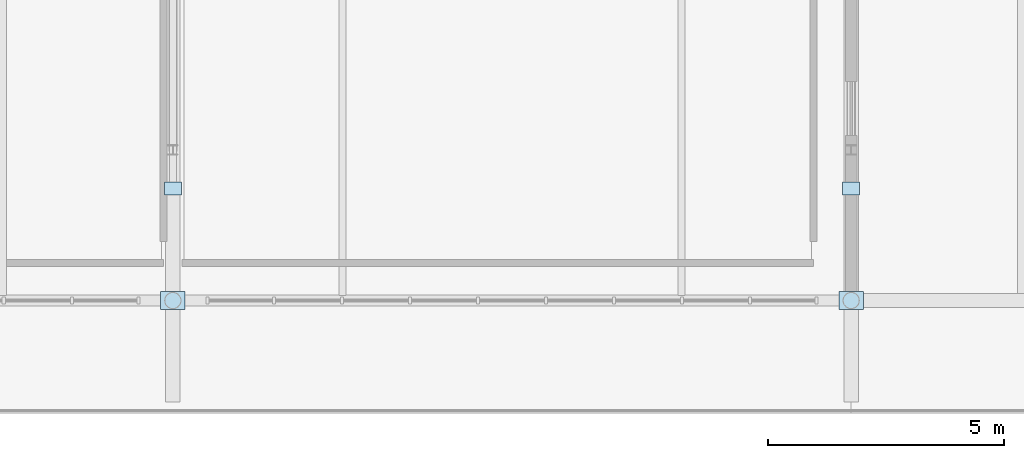
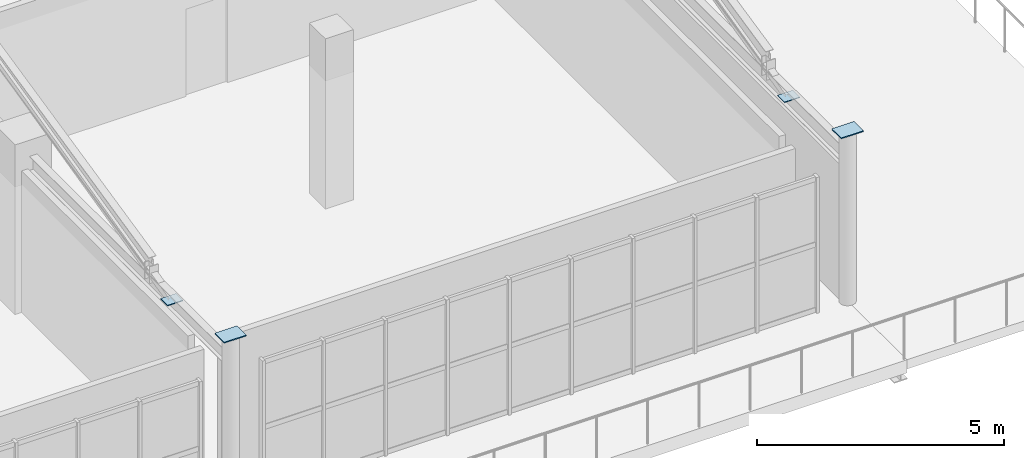
# One storey, part 29 of 41: 4 plates.
"""IFC4 building model written with IfcOpenShell, lengths in metres."""

from ifc_helpers import new_model, si_unit, direction, frame, origin, origin_2d, place, context, subcontext, project, spatial, rectangle, extrude, material, layer, layer_set, type_object, element, save


model = new_model("IFC4")

# Units and contexts
model_context = context("Model", 3, precision=1e-05, world=origin(), true_north=direction((0.0, 1.0)))
body_context = subcontext(model_context, "Body", "Model", "MODEL_VIEW")
ifc_project = project(units=[si_unit("LENGTHUNIT", "METRE"), si_unit("AREAUNIT", "SQUARE_METRE"), si_unit("VOLUMEUNIT", "CUBIC_METRE"), si_unit("PLANEANGLEUNIT", "RADIAN"), si_unit("MASSUNIT", "GRAM", prefix="KILO")], contexts=[model_context])

# Site, building, storey
site_placement = place(None, origin())
site = spatial("IfcSite", under=ifc_project, at=site_placement, CompositionType="ELEMENT")
building_placement = place(site_placement, origin())
building = spatial("IfcBuilding", under=site, at=building_placement, Name="Solanera Park Tramway Depot", CompositionType="ELEMENT")
storey_placement = place(building_placement, frame((0.0, 0.0, 13.199951171875)))
storey = spatial("IfcBuildingStorey", under=building, at=storey_placement, Name="L03", CompositionType="ELEMENT", Elevation=13.199951171875)

# Plates
ifc_material_1 = material(Name="Steel AS/NZS 3679.1 Grade 350", Category="steel")
ifc_layer_1 = layer(ifc_material_1, 0.01806640625)
ifc_layer_set_1 = layer_set([ifc_layer_1], Name="Steel AS/NZS 3679.1 Grade 350")
plate_type_1 = type_object("IfcPlateType", Name="Hollow End Cap and Base Plate 360x280x18", PredefinedType="USERDEFINED", material=ifc_layer_set_1)
for number, where, z_axis, x_axis, name in (
    (1, (165.60009765625, 4.780029296875, 3.61328125), (0.0, 0.0, 1.0), (1.0, 0.0, 0.0), "Hip Truss Web Sealed Cap Plate #1134"),
    (2, (180.0, 4.780029296875, 3.587890625), (0.0, 0.0, 1.0), (1.0, 0.0, 0.0), "Hip Truss Web Sealed Cap Plate #1137"),
):
    element("IfcPlate", number, at=place(storey_placement, frame(where, z_axis=z_axis, x_axis=x_axis)), inside=storey, type_object=plate_type_1, Name=name, ObjectType="BASE PLATE", PredefinedType="USERDEFINED", context=body_context, shape_type="SweptSolid", body=[
        extrude(rectangle(XDim=0.360107421875, YDim=0.280029296875, at=origin_2d()), origin(), (0.0, 0.0, 1.0), 0.01806640625),
    ])
ifc_material_2 = material(Name="Steel AS/NZS 3679.1 Grade 350", Category="steel")
ifc_layer_2 = layer(ifc_material_2, 0.02490234375)
ifc_layer_set_2 = layer_set([ifc_layer_2], Name="Steel AS/NZS 3679.1 Grade 350")
plate_type_2 = type_object("IfcPlateType", Name="Hollow End Cap and Base Plate 520x380x25", PredefinedType="USERDEFINED", material=ifc_layer_set_2)
for number, where, z_axis, x_axis, name in (
    (3, (165.60009765625, 2.39990234375, 4.196044921875), (0.0, 0.0, 1.0), (1.0, 0.0, 0.0), "Hollow Column Sealed Cap Plate #0022"),
    (4, (180.0, 2.39990234375, 4.196044921875), (0.0, 0.0, 1.0), (1.0, 0.0, 0.0), "Hollow Column Sealed Cap Plate #0023"),
):
    element("IfcPlate", number, at=place(storey_placement, frame(where, z_axis=z_axis, x_axis=x_axis)), inside=storey, type_object=plate_type_2, Name=name, ObjectType="BASE PLATE", PredefinedType="USERDEFINED", context=body_context, shape_type="SweptSolid", body=[
        extrude(rectangle(XDim=0.52001953125, YDim=0.3798828125, at=origin_2d()), origin(), (0.0, 0.0, 1.0), 0.02490234375),
    ])

save(model, "model.ifc")
